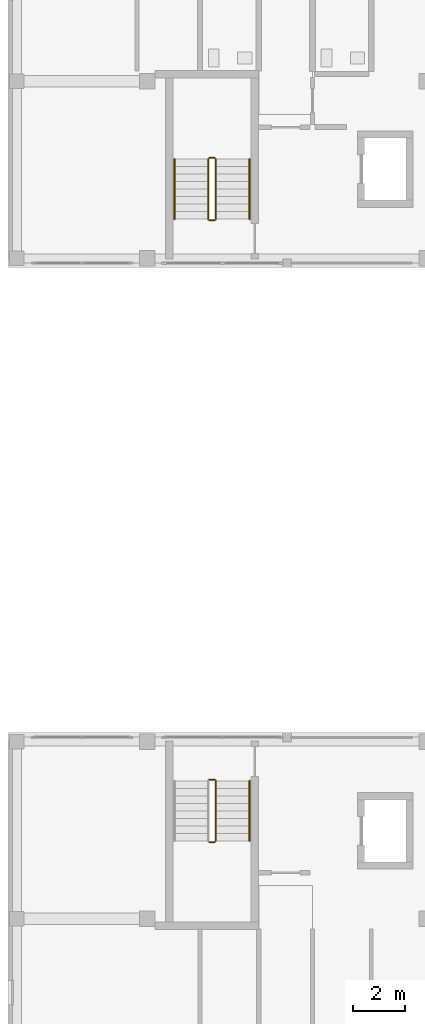
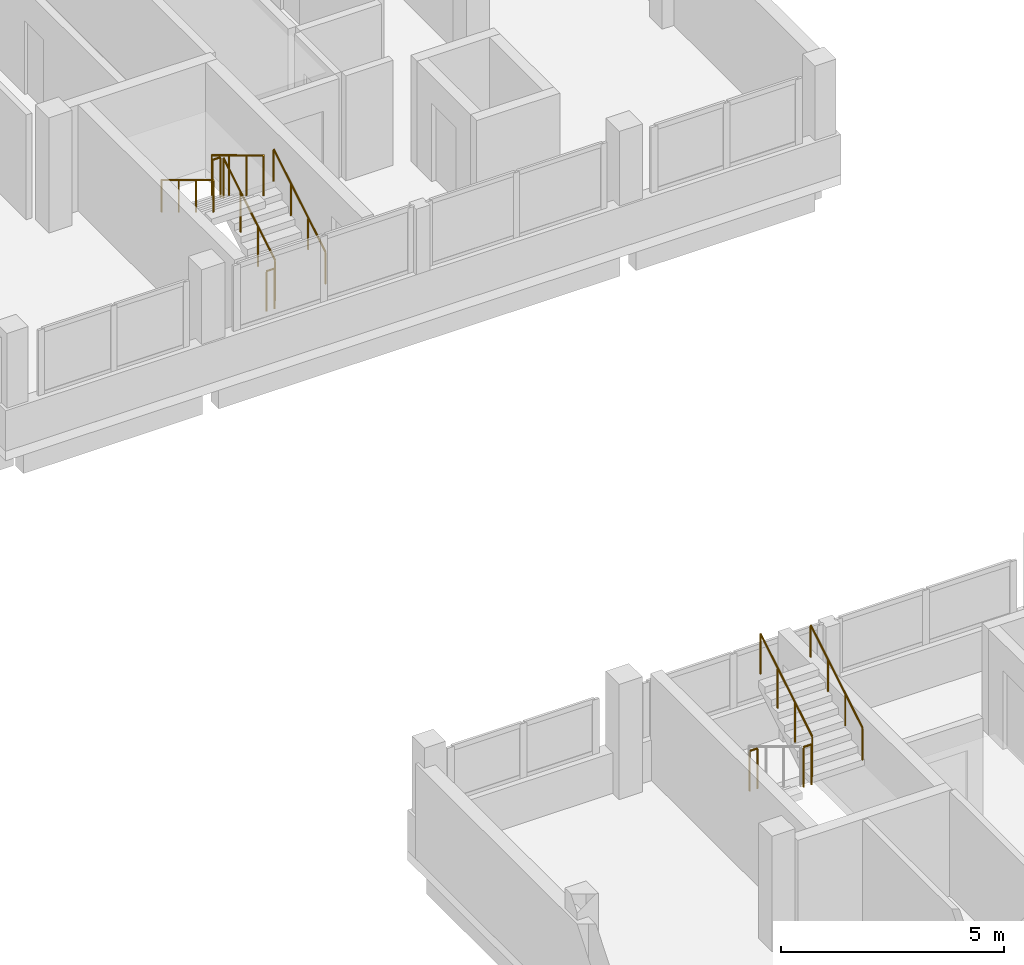
# One storey, part 29 of 38: 10 railings.
"""IFC4 building model written with IfcOpenShell, lengths in metres."""

import ifcopenshell
import ifcopenshell.guid

model = None  # the IFC model being written
_history = None  # IfcOwnerHistory: only IFC2X3 demands one
_inside = {}  # id of a spatial element -> (the spatial element, [elements in it])
_under = {}  # id of a project, library or spatial element -> (it, [spatial elements below it])
_declared = {}  # id of a project -> (the project, [libraries it declares])
_typed = {}  # id of a type object -> (the type object, [elements of that type])
_made_of = {}  # id of a material, layer set ... -> (it, [elements and type objects made of it])


def new_model(schema):
    """Start an empty IFC model of exactly this schema.

    Asked for "IFC4X3", IfcOpenShell would pick the latest addendum, in which some entities
    have other attributes; the version numbers below select the first issue.
    IFC2X3 requires an IfcOwnerHistory on every rooted entity: one is made here for all.
    """
    global model, _history
    if schema == "IFC4X3":
        model = ifcopenshell.file(schema_version=(4, 3, 0, 0))
    else:
        model = ifcopenshell.file(schema=schema)
    _inside.clear()
    _under.clear()
    _declared.clear()
    _typed.clear()
    _made_of.clear()
    _history = None
    if model.schema == "IFC2X3":
        org = make("IfcOrganization", Name="unknown")
        user = make(
            "IfcPersonAndOrganization",
            ThePerson=make("IfcPerson", FamilyName="unknown"),
            TheOrganization=org,
        )
        app = make(
            "IfcApplication",
            ApplicationDeveloper=org,
            Version="unknown",
            ApplicationFullName="unknown",
            ApplicationIdentifier="unknown",
        )
        _history = make(
            "IfcOwnerHistory",
            OwningUser=user,
            OwningApplication=app,
            ChangeAction="ADDED",
            CreationDate=0,
        )
    return model


def make(cls, **values):
    """One entity of the class cls with the attributes given. An attribute that is None is left unset."""
    return model.create_entity(
        cls, **{name: value for name, value in values.items() if value is not None}
    )


def rooted(cls, **values):
    """An entity with a GlobalId (a new one), such as an element, a storey or a relation."""
    return make(cls, GlobalId=ifcopenshell.guid.new(), OwnerHistory=_history, **values)


def si_unit(unit_type, name, prefix=None):
    """IfcSIUnit, for example si_unit("LENGTHUNIT", "METRE", prefix="MILLI")."""
    return make("IfcSIUnit", UnitType=unit_type, Prefix=prefix, Name=name)


def derived_unit(unit_type, elements):
    """IfcDerivedUnit: a product of units, each with its exponent."""
    return make(
        "IfcDerivedUnit",
        Elements=[
            make("IfcDerivedUnitElement", Unit=unit, Exponent=power)
            for unit, power in elements
        ],
        UnitType=unit_type,
    )


def assignment(units):
    """IfcUnitAssignment: the units of a project."""
    return None if units is None else make("IfcUnitAssignment", Units=units)


def point(xyz):
    """IfcCartesianPoint."""
    return None if xyz is None else make("IfcCartesianPoint", Coordinates=xyz)


def direction(xyz):
    """IfcDirection."""
    return None if xyz is None else make("IfcDirection", DirectionRatios=xyz)


def frame(location, z_axis=None, x_axis=None):
    """IfcAxis2Placement3D, a coordinate frame: its origin and axes. An axis left out is left unset."""
    return make(
        "IfcAxis2Placement3D",
        Location=point(location),
        Axis=direction(z_axis),
        RefDirection=direction(x_axis),
    )


def frame_2d(location, x_axis=None):
    """IfcAxis2Placement2D, a coordinate frame in the plane: its origin and x axis."""
    return make(
        "IfcAxis2Placement2D", Location=point(location), RefDirection=direction(x_axis)
    )


def origin():
    """The frame at (0, 0, 0) with its axes left unset."""
    return frame((0.0, 0.0, 0.0))


def origin_2d():
    """The frame at (0, 0) in the plane with its x axis left unset."""
    return frame_2d((0.0, 0.0))


def place(relative_to, where):
    """IfcLocalPlacement: puts the frame where relative to a parent placement (None: the world)."""
    return make(
        "IfcLocalPlacement", PlacementRelTo=relative_to, RelativePlacement=where
    )


def context(
    kind, dimensions, precision=None, world=None, true_north=None, identifier=None
):
    """IfcGeometricRepresentationContext, for example the 3D "Model" context."""
    return make(
        "IfcGeometricRepresentationContext",
        ContextIdentifier=identifier,
        ContextType=kind,
        CoordinateSpaceDimension=dimensions,
        Precision=precision,
        WorldCoordinateSystem=world,
        TrueNorth=true_north,
    )


def subcontext(parent, identifier, kind, view, scale=None):
    """IfcGeometricRepresentationSubContext, for example "Body" below "Model"."""
    return make(
        "IfcGeometricRepresentationSubContext",
        ContextIdentifier=identifier,
        ContextType=kind,
        ParentContext=parent,
        TargetScale=scale,
        TargetView=view,
    )


def project(units=None, contexts=None):
    """IfcProject with its units and contexts."""
    return rooted(
        "IfcProject",
        Name="project",
        RepresentationContexts=contexts,
        UnitsInContext=assignment(units),
    )


def spatial(cls, under=None, at=None, **own):
    """A site, building, storey or space (cls), placed at a placement, below another one or the project."""
    s = rooted(cls, ObjectPlacement=at, **own)
    if under is not None:
        _under.setdefault(under.id(), (under, []))[1].append(s)
    return s


def profile(cls, at=None, kind="AREA", **sizes):
    """A parametric profile (cls). Its sizes go by their IFC names, for example OverallWidth=200.0."""
    return make(cls, ProfileType=kind, Position=at, **sizes)


def circle(**sizes):
    """IfcCircleProfileDef."""
    return profile("IfcCircleProfileDef", **sizes)


def extrude(swept, where, along, depth):
    """IfcExtrudedAreaSolid: the profile swept, set in the frame where, extruded along a direction by depth."""
    return make(
        "IfcExtrudedAreaSolid",
        SweptArea=swept,
        Position=where,
        ExtrudedDirection=direction(along),
        Depth=depth,
    )


def shape(context_of_items, identifier, shape_type, items):
    """IfcShapeRepresentation: the items that make up one representation, for example the "Body"."""
    return make(
        "IfcShapeRepresentation",
        ContextOfItems=context_of_items,
        RepresentationIdentifier=identifier,
        RepresentationType=shape_type,
        Items=items,
    )


def material(Name=None, Category=None):
    """IfcMaterial."""
    return make("IfcMaterial", Name=Name, Category=Category)


def made_of(thing, what):
    """Note that an element or type object is made of a material, layer set ...; save() writes the relation."""
    if what is not None:
        _made_of.setdefault(what.id(), (what, []))[1].append(thing)
    return thing


def type_object(cls, material=None, **own):
    """A type object (cls), such as IfcWallType, which elements share."""
    return made_of(rooted(cls, **own), material)


def element(
    cls,
    number,
    at=None,
    inside=None,
    cuts=None,
    type_object=None,
    material=None,
    context=None,
    identifier="Body",
    shape_type=None,
    held_by="IfcProductDefinitionShape",
    body=None,
    shapes=None,
    **own,
):
    """One element of the class cls, such as IfcWall. Its Tag is "e" and its number.

    at: its placement. inside: the storey or other place that contains it. cuts: it is an
    opening in that element (IfcRelVoidsElement). A single representation is given by context,
    identifier, shape_type and body (its items); several are given by shapes. held_by: the class
    of the entity that holds the representations. save() writes the other relations.
    """
    e = rooted(cls, Tag="e%d" % number, ObjectPlacement=at, **own)
    if body is not None:
        shapes = [shape(context, identifier, shape_type, body)]
    if shapes is not None:
        e.Representation = make(held_by, Representations=shapes)
    if inside is not None:
        _inside.setdefault(inside.id(), (inside, []))[1].append(e)
    if cuts is not None:
        rooted(
            "IfcRelVoidsElement", RelatingBuildingElement=cuts, RelatedOpeningElement=e
        )
    if type_object is not None:
        _typed.setdefault(type_object.id(), (type_object, []))[1].append(e)
    return made_of(e, material)


def aggregate(whole, parts):
    """IfcRelAggregates: a whole, such as a stair, and the parts it consists of."""
    return rooted("IfcRelAggregates", RelatingObject=whole, RelatedObjects=parts)


def save(model, path):
    """Write the relations noted so far, then the file.

    IfcRelAggregates (storeys below a building ...), IfcRelContainedInSpatialStructure (elements
    in a storey), IfcRelDefinesByType, IfcRelAssociatesMaterial and IfcRelDeclares: one each for
    every whole, place, type object, material and project.
    """
    for whole, parts in _under.values():
        aggregate(whole, parts)
    for where, things in _inside.values():
        rooted(
            "IfcRelContainedInSpatialStructure",
            RelatedElements=things,
            RelatingStructure=where,
        )
    for kind, things in _typed.values():
        rooted("IfcRelDefinesByType", RelatedObjects=things, RelatingType=kind)
    for what, things in _made_of.values():
        rooted("IfcRelAssociatesMaterial", RelatedObjects=things, RelatingMaterial=what)
    for by, libraries in _declared.values():
        rooted("IfcRelDeclares", RelatingContext=by, RelatedDefinitions=libraries)
    model.write(path)


model = new_model("IFC4")

# Units and contexts
model_context = context("Model", 3, precision=1e-05, world=origin(), true_north=direction((0.0, 1.0)))
body_context = subcontext(model_context, "Body", "Model", "MODEL_VIEW")
ifc_project = project(units=[si_unit("LENGTHUNIT", "METRE"), si_unit("AREAUNIT", "SQUARE_METRE"), si_unit("VOLUMEUNIT", "CUBIC_METRE"), si_unit("PLANEANGLEUNIT", "RADIAN"), si_unit("MASSUNIT", "GRAM", prefix="KILO"), derived_unit("THERMALTRANSMITTANCEUNIT", [(si_unit("MASSUNIT", "GRAM", prefix="KILO"), 1), (si_unit("TIMEUNIT", "SECOND"), -3), (si_unit("THERMODYNAMICTEMPERATUREUNIT", "KELVIN"), -1)])], contexts=[model_context])

# Site, building, storey
site_placement = place(None, origin())
site = spatial("IfcSite", under=ifc_project, at=site_placement, CompositionType="ELEMENT")
building_placement = place(site_placement, origin())
building = spatial("IfcBuilding", under=site, at=building_placement, Name="Ochrekiln Boulevard Commons", CompositionType="ELEMENT")
storey_placement = place(building_placement, frame((0.0, 0.0, 24.675048828125)))
storey = spatial("IfcBuildingStorey", under=building, at=storey_placement, Name="L07", CompositionType="ELEMENT", Elevation=24.675048828125)

# Railings
ifc_material = material(Name="Brushed stainless steel 316 tubular railing", Category="steel")
railing_type_1 = type_object("IfcRailingType", Name="RLG-HDR-900", PredefinedType="HANDRAIL", material=ifc_material)
railing_1_placement = place(storey_placement, frame((9.35009765625, 70.27001953125, 0.175048828125)))
element("IfcRailing", 1, at=railing_1_placement, inside=storey, type_object=railing_type_1, Name="L07 ST-A1 stair handrail 1", PredefinedType="HANDRAIL", context=body_context, shape_type="SweptSolid", body=[
    extrude(circle(Radius=0.02392578125, at=origin_2d()), frame((0.0, 0.0, 0.8759765625), z_axis=(0.0, 0.85621033714, 0.516627388526), x_axis=(-1.0, 0.0, 0.0)), (0.0, 0.0, 1.0), 2.709716796875),
    extrude(circle(Radius=0.02099609375, at=origin_2d()), origin(), (0.0, 0.0, 1.0), 0.851806640625),
    extrude(circle(Radius=0.02099609375, at=origin_2d()), frame((0.0, 0.7734375, 0.466552734375)), (0.0, 0.0, 1.0), 0.851806640625),
    extrude(circle(Radius=0.02099609375, at=origin_2d()), frame((0.0, 1.546630859375, 0.933349609375)), (0.0, 0.0, 1.0), 0.851806640625),
    extrude(circle(Radius=0.02099609375, at=origin_2d()), frame((0.0, 2.320068359375, 1.39990234375)), (0.0, 0.0, 1.0), 0.851806640625),
])
railing_2_placement = place(storey_placement, frame((6.449951171875, 72.590087890625, 1.75)))
element("IfcRailing", 2, at=railing_2_placement, inside=storey, type_object=railing_type_1, Name="L07 ST-A1 stair handrail 2", PredefinedType="HANDRAIL", context=body_context, shape_type="SweptSolid", body=[
    extrude(circle(Radius=0.02392578125, at=origin_2d()), frame((0.0, 0.0, 0.8759765625), z_axis=(0.0, -0.85621033714, 0.516627388526), x_axis=(1.0, 0.0, 0.0)), (0.0, 0.0, 1.0), 2.709716796875),
    extrude(circle(Radius=0.02099609375, at=origin_2d()), origin(), (0.0, 0.0, 1.0), 0.851806640625),
    extrude(circle(Radius=0.02099609375, at=origin_2d()), frame((0.0, -0.7734375, 0.466552734375)), (0.0, 0.0, 1.0), 0.851806640625),
    extrude(circle(Radius=0.02099609375, at=origin_2d()), frame((0.0, -1.546630859375, 0.933349609375)), (0.0, 0.0, 1.0), 0.851806640625),
    extrude(circle(Radius=0.02099609375, at=origin_2d()), frame((0.0, -2.320068359375, 1.39990234375)), (0.0, 0.0, 1.0), 0.851806640625),
])
railing_3_placement = place(storey_placement, frame((9.35009765625, 46.2099609375, 1.75)))
element("IfcRailing", 3, at=railing_3_placement, inside=storey, type_object=railing_type_1, Name="L07 ST-D2 stair handrail 2", PredefinedType="HANDRAIL", context=body_context, shape_type="SweptSolid", body=[
    extrude(circle(Radius=0.02392578125, at=origin_2d()), frame((0.0, 0.0, 0.8759765625), z_axis=(0.0, 0.85621033714, 0.516627388526), x_axis=(-1.0, 0.0, 0.0)), (0.0, 0.0, 1.0), 2.709716796875),
    extrude(circle(Radius=0.02099609375, at=origin_2d()), origin(), (0.0, 0.0, 1.0), 0.851806640625),
    extrude(circle(Radius=0.02099609375, at=origin_2d()), frame((0.0, 0.7734375, 0.466552734375)), (0.0, 0.0, 1.0), 0.851806640625),
    extrude(circle(Radius=0.02099609375, at=origin_2d()), frame((0.0, 1.546630859375, 0.933349609375)), (0.0, 0.0, 1.0), 0.851806640625),
    extrude(circle(Radius=0.02099609375, at=origin_2d()), frame((0.0, 2.320068359375, 1.39990234375)), (0.0, 0.0, 1.0), 0.851806640625),
])
railing_type_2 = type_object("IfcRailingType", Name="RLG-STR-1120", PredefinedType="BALUSTRADE", material=ifc_material)
railing_4_placement = place(storey_placement, frame((8.050048828125, 70.27001953125, 0.175048828125)))
element("IfcRailing", 4, at=railing_4_placement, inside=storey, type_object=railing_type_2, Name="L07 ST-A1 stair guard 1", PredefinedType="BALUSTRADE", context=body_context, shape_type="SweptSolid", body=[
    extrude(circle(Radius=0.02392578125, at=origin_2d()), frame((0.0, 0.0, 1.09619140625), z_axis=(0.0, 0.85621033714, 0.516627388526), x_axis=(-1.0, 0.0, 0.0)), (0.0, 0.0, 1.0), 2.709716796875),
    extrude(circle(Radius=0.02099609375, at=origin_2d()), origin(), (0.0, 0.0, 1.0), 1.072021484375),
    extrude(circle(Radius=0.02099609375, at=origin_2d()), frame((0.0, 0.7734375, 0.466552734375)), (0.0, 0.0, 1.0), 1.072021484375),
    extrude(circle(Radius=0.02099609375, at=origin_2d()), frame((0.0, 1.546630859375, 0.933349609375)), (0.0, 0.0, 1.0), 1.072021484375),
    extrude(circle(Radius=0.02099609375, at=origin_2d()), frame((0.0, 2.320068359375, 1.39990234375)), (0.0, 0.0, 1.0), 1.072021484375),
])
railing_5_placement = place(storey_placement, frame((8.0, 72.639892578125, 1.574951171875)))
element("IfcRailing", 5, at=railing_5_placement, inside=storey, type_object=railing_type_2, Name="L07 ST-A1 stair guard 2", PredefinedType="BALUSTRADE", context=body_context, shape_type="SweptSolid", body=[
    extrude(circle(Radius=0.02392578125, at=origin_2d()), frame((0.0, 0.0, 1.09619140625), z_axis=(-1.0, 0.0, 0.0), x_axis=(0.0, -1.0, 0.0)), (0.0, 0.0, 1.0), 0.199951171875),
    extrude(circle(Radius=0.02099609375, at=origin_2d()), origin(), (0.0, 0.0, 1.0), 1.072021484375),
    extrude(circle(Radius=0.02099609375, at=origin_2d()), frame((-0.199951171875, 0.0, 0.0)), (0.0, 0.0, 1.0), 1.072021484375),
])
railing_6_placement = place(storey_placement, frame((7.75, 72.590087890625, 1.75)))
element("IfcRailing", 6, at=railing_6_placement, inside=storey, type_object=railing_type_2, Name="L07 ST-A1 stair guard 3", PredefinedType="BALUSTRADE", context=body_context, shape_type="SweptSolid", body=[
    extrude(circle(Radius=0.02392578125, at=origin_2d()), frame((0.0, 0.0, 1.09619140625), z_axis=(0.0, -0.85621033714, 0.516627388526), x_axis=(1.0, 0.0, 0.0)), (0.0, 0.0, 1.0), 2.709716796875),
    extrude(circle(Radius=0.02099609375, at=origin_2d()), origin(), (0.0, 0.0, 1.0), 1.072021484375),
    extrude(circle(Radius=0.02099609375, at=origin_2d()), frame((0.0, -0.7734375, 0.466552734375)), (0.0, 0.0, 1.0), 1.072021484375),
    extrude(circle(Radius=0.02099609375, at=origin_2d()), frame((0.0, -1.546630859375, 0.933349609375)), (0.0, 0.0, 1.0), 1.072021484375),
    extrude(circle(Radius=0.02099609375, at=origin_2d()), frame((0.0, -2.320068359375, 1.39990234375)), (0.0, 0.0, 1.0), 1.072021484375),
])
railing_7_placement = place(storey_placement, frame((8.0, 70.219970703125, 0.0)))
element("IfcRailing", 7, at=railing_7_placement, inside=storey, type_object=railing_type_2, Name="L07 ST-A1 stair guard 4", PredefinedType="BALUSTRADE", context=body_context, shape_type="SweptSolid", body=[
    extrude(circle(Radius=0.02392578125, at=origin_2d()), frame((0.0, 0.0, 1.09619140625), z_axis=(-1.0, 0.0, 0.0), x_axis=(0.0, -1.0, 0.0)), (0.0, 0.0, 1.0), 0.199951171875),
    extrude(circle(Radius=0.02099609375, at=origin_2d()), origin(), (0.0, 0.0, 1.0), 1.072021484375),
    extrude(circle(Radius=0.02099609375, at=origin_2d()), frame((-0.199951171875, 0.0, 0.0)), (0.0, 0.0, 1.0), 1.072021484375),
])
railing_8_placement = place(storey_placement, frame((7.800048828125, 46.159912109375, 1.574951171875)))
element("IfcRailing", 8, at=railing_8_placement, inside=storey, type_object=railing_type_2, Name="L07 ST-D2 stair guard 2", PredefinedType="BALUSTRADE", context=body_context, shape_type="SweptSolid", body=[
    extrude(circle(Radius=0.02392578125, at=origin_2d()), frame((0.0, 0.0, 1.09619140625), z_axis=(1.0, 0.0, 0.0), x_axis=(0.0, 1.0, 0.0)), (0.0, 0.0, 1.0), 0.199951171875),
    extrude(circle(Radius=0.02099609375, at=origin_2d()), origin(), (0.0, 0.0, 1.0), 1.072021484375),
    extrude(circle(Radius=0.02099609375, at=origin_2d()), frame((0.199951171875, 0.0, 0.0)), (0.0, 0.0, 1.0), 1.072021484375),
])
railing_9_placement = place(storey_placement, frame((8.050048828125, 46.2099609375, 1.75)))
element("IfcRailing", 9, at=railing_9_placement, inside=storey, type_object=railing_type_2, Name="L07 ST-D2 stair guard 3", PredefinedType="BALUSTRADE", context=body_context, shape_type="SweptSolid", body=[
    extrude(circle(Radius=0.02392578125, at=origin_2d()), frame((0.0, 0.0, 1.09619140625), z_axis=(0.0, 0.85621033714, 0.516627388526), x_axis=(-1.0, 0.0, 0.0)), (0.0, 0.0, 1.0), 2.709716796875),
    extrude(circle(Radius=0.02099609375, at=origin_2d()), origin(), (0.0, 0.0, 1.0), 1.072021484375),
    extrude(circle(Radius=0.02099609375, at=origin_2d()), frame((0.0, 0.7734375, 0.466552734375)), (0.0, 0.0, 1.0), 1.072021484375),
    extrude(circle(Radius=0.02099609375, at=origin_2d()), frame((0.0, 1.546630859375, 0.933349609375)), (0.0, 0.0, 1.0), 1.072021484375),
    extrude(circle(Radius=0.02099609375, at=origin_2d()), frame((0.0, 2.320068359375, 1.39990234375)), (0.0, 0.0, 1.0), 1.072021484375),
])
railing_10_placement = place(storey_placement, frame((7.800048828125, 48.580078125, 0.0)))
element("IfcRailing", 10, at=railing_10_placement, inside=storey, type_object=railing_type_2, Name="L07 ST-D2 stair guard 4", PredefinedType="BALUSTRADE", context=body_context, shape_type="SweptSolid", body=[
    extrude(circle(Radius=0.02392578125, at=origin_2d()), frame((0.0, 0.0, 1.09619140625), z_axis=(1.0, 0.0, 0.0), x_axis=(0.0, 1.0, 0.0)), (0.0, 0.0, 1.0), 0.199951171875),
    extrude(circle(Radius=0.02099609375, at=origin_2d()), origin(), (0.0, 0.0, 1.0), 1.072021484375),
    extrude(circle(Radius=0.02099609375, at=origin_2d()), frame((0.199951171875, 0.0, 0.0)), (0.0, 0.0, 1.0), 1.072021484375),
])

save(model, "model.ifc")
